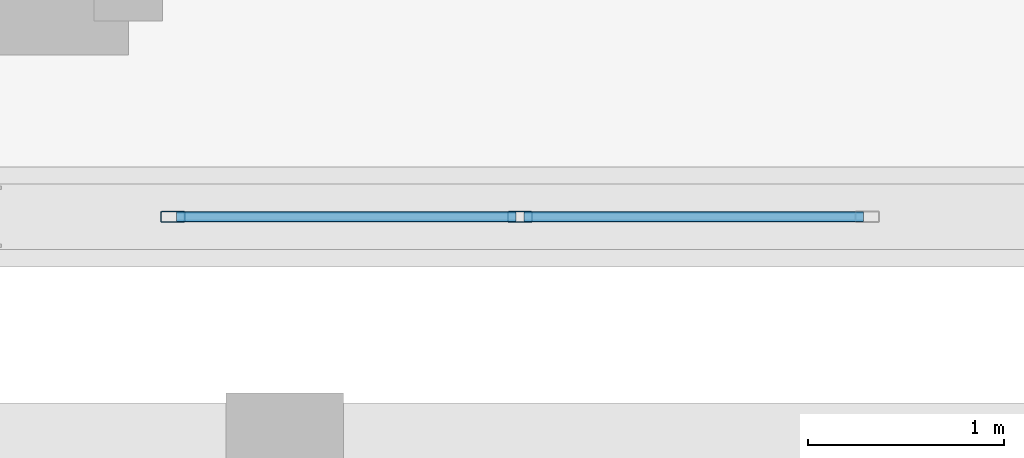
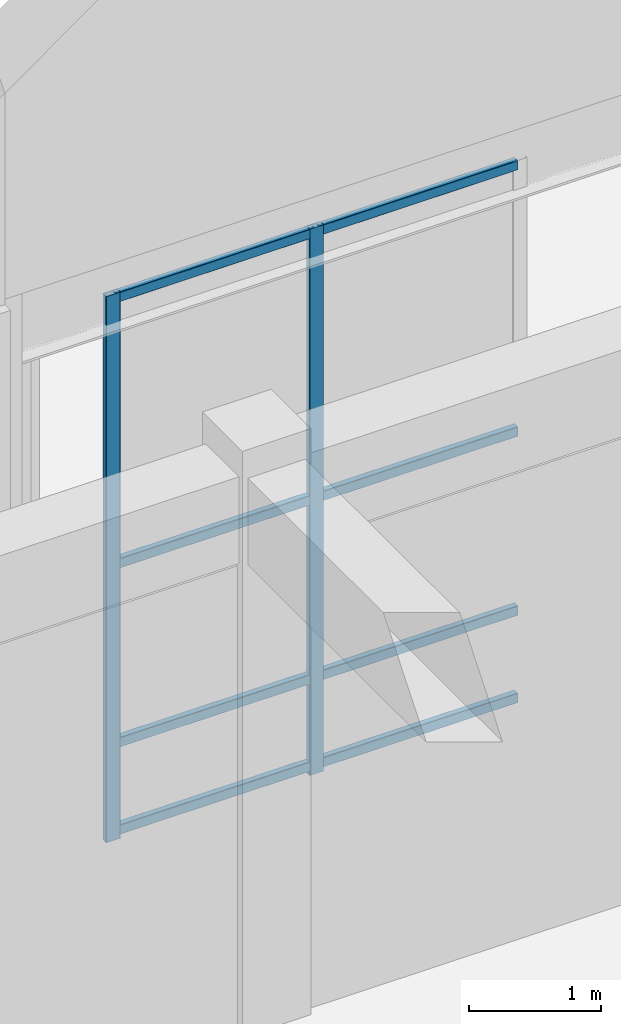
# One storey, part 100 of 197: 10 members, 1 element without a shape of its own.
"""IFC4 building model written with IfcOpenShell, lengths in metres."""

import ifcopenshell
import ifcopenshell.guid

model = None  # the IFC model being written
_history = None  # IfcOwnerHistory: only IFC2X3 demands one
_inside = {}  # id of a spatial element -> (the spatial element, [elements in it])
_under = {}  # id of a project, library or spatial element -> (it, [spatial elements below it])
_declared = {}  # id of a project -> (the project, [libraries it declares])
_typed = {}  # id of a type object -> (the type object, [elements of that type])
_made_of = {}  # id of a material, layer set ... -> (it, [elements and type objects made of it])


def new_model(schema):
    """Start an empty IFC model of exactly this schema.

    Asked for "IFC4X3", IfcOpenShell would pick the latest addendum, in which some entities
    have other attributes; the version numbers below select the first issue.
    IFC2X3 requires an IfcOwnerHistory on every rooted entity: one is made here for all.
    """
    global model, _history
    if schema == "IFC4X3":
        model = ifcopenshell.file(schema_version=(4, 3, 0, 0))
    else:
        model = ifcopenshell.file(schema=schema)
    _inside.clear()
    _under.clear()
    _declared.clear()
    _typed.clear()
    _made_of.clear()
    _history = None
    if model.schema == "IFC2X3":
        org = make("IfcOrganization", Name="unknown")
        user = make(
            "IfcPersonAndOrganization",
            ThePerson=make("IfcPerson", FamilyName="unknown"),
            TheOrganization=org,
        )
        app = make(
            "IfcApplication",
            ApplicationDeveloper=org,
            Version="unknown",
            ApplicationFullName="unknown",
            ApplicationIdentifier="unknown",
        )
        _history = make(
            "IfcOwnerHistory",
            OwningUser=user,
            OwningApplication=app,
            ChangeAction="ADDED",
            CreationDate=0,
        )
    return model


def make(cls, **values):
    """One entity of the class cls with the attributes given. An attribute that is None is left unset."""
    return model.create_entity(
        cls, **{name: value for name, value in values.items() if value is not None}
    )


def rooted(cls, **values):
    """An entity with a GlobalId (a new one), such as an element, a storey or a relation."""
    return make(cls, GlobalId=ifcopenshell.guid.new(), OwnerHistory=_history, **values)


def si_unit(unit_type, name, prefix=None):
    """IfcSIUnit, for example si_unit("LENGTHUNIT", "METRE", prefix="MILLI")."""
    return make("IfcSIUnit", UnitType=unit_type, Prefix=prefix, Name=name)


def derived_unit(unit_type, elements):
    """IfcDerivedUnit: a product of units, each with its exponent."""
    return make(
        "IfcDerivedUnit",
        Elements=[
            make("IfcDerivedUnitElement", Unit=unit, Exponent=power)
            for unit, power in elements
        ],
        UnitType=unit_type,
    )


def assignment(units):
    """IfcUnitAssignment: the units of a project."""
    return None if units is None else make("IfcUnitAssignment", Units=units)


def point(xyz):
    """IfcCartesianPoint."""
    return None if xyz is None else make("IfcCartesianPoint", Coordinates=xyz)


def direction(xyz):
    """IfcDirection."""
    return None if xyz is None else make("IfcDirection", DirectionRatios=xyz)


def frame(location, z_axis=None, x_axis=None):
    """IfcAxis2Placement3D, a coordinate frame: its origin and axes. An axis left out is left unset."""
    return make(
        "IfcAxis2Placement3D",
        Location=point(location),
        Axis=direction(z_axis),
        RefDirection=direction(x_axis),
    )


def frame_2d(location, x_axis=None):
    """IfcAxis2Placement2D, a coordinate frame in the plane: its origin and x axis."""
    return make(
        "IfcAxis2Placement2D", Location=point(location), RefDirection=direction(x_axis)
    )


def origin():
    """The frame at (0, 0, 0) with its axes left unset."""
    return frame((0.0, 0.0, 0.0))


def origin_2d():
    """The frame at (0, 0) in the plane with its x axis left unset."""
    return frame_2d((0.0, 0.0))


def place(relative_to, where):
    """IfcLocalPlacement: puts the frame where relative to a parent placement (None: the world)."""
    return make(
        "IfcLocalPlacement", PlacementRelTo=relative_to, RelativePlacement=where
    )


def context(
    kind, dimensions, precision=None, world=None, true_north=None, identifier=None
):
    """IfcGeometricRepresentationContext, for example the 3D "Model" context."""
    return make(
        "IfcGeometricRepresentationContext",
        ContextIdentifier=identifier,
        ContextType=kind,
        CoordinateSpaceDimension=dimensions,
        Precision=precision,
        WorldCoordinateSystem=world,
        TrueNorth=true_north,
    )


def subcontext(parent, identifier, kind, view, scale=None):
    """IfcGeometricRepresentationSubContext, for example "Body" below "Model"."""
    return make(
        "IfcGeometricRepresentationSubContext",
        ContextIdentifier=identifier,
        ContextType=kind,
        ParentContext=parent,
        TargetScale=scale,
        TargetView=view,
    )


def project(units=None, contexts=None):
    """IfcProject with its units and contexts."""
    return rooted(
        "IfcProject",
        Name="project",
        RepresentationContexts=contexts,
        UnitsInContext=assignment(units),
    )


def spatial(cls, under=None, at=None, **own):
    """A site, building, storey or space (cls), placed at a placement, below another one or the project."""
    s = rooted(cls, ObjectPlacement=at, **own)
    if under is not None:
        _under.setdefault(under.id(), (under, []))[1].append(s)
    return s


def profile(cls, at=None, kind="AREA", **sizes):
    """A parametric profile (cls). Its sizes go by their IFC names, for example OverallWidth=200.0."""
    return make(cls, ProfileType=kind, Position=at, **sizes)


def hollow_rectangle(**sizes):
    """IfcRectangleHollowProfileDef."""
    return profile("IfcRectangleHollowProfileDef", **sizes)


def extrude(swept, where, along, depth):
    """IfcExtrudedAreaSolid: the profile swept, set in the frame where, extruded along a direction by depth."""
    return make(
        "IfcExtrudedAreaSolid",
        SweptArea=swept,
        Position=where,
        ExtrudedDirection=direction(along),
        Depth=depth,
    )


def shape(context_of_items, identifier, shape_type, items):
    """IfcShapeRepresentation: the items that make up one representation, for example the "Body"."""
    return make(
        "IfcShapeRepresentation",
        ContextOfItems=context_of_items,
        RepresentationIdentifier=identifier,
        RepresentationType=shape_type,
        Items=items,
    )


def material(Name=None, Category=None):
    """IfcMaterial."""
    return make("IfcMaterial", Name=Name, Category=Category)


def layer(
    of_material, thickness, ventilated=None, Name=None, Category=None, Priority=None
):
    """IfcMaterialLayer: one layer of a wall or slab, of a material (None: an air gap)."""
    return make(
        "IfcMaterialLayer",
        Material=of_material,
        LayerThickness=thickness,
        IsVentilated=ventilated,
        Name=Name,
        Category=Category,
        Priority=Priority,
    )


def layer_set(layers, Name=None):
    """IfcMaterialLayerSet."""
    return make("IfcMaterialLayerSet", MaterialLayers=layers, LayerSetName=Name)


def material_profile(
    of_material, cross_section, Name=None, Category=None, Priority=None
):
    """IfcMaterialProfile: a cross section and its material."""
    return make(
        "IfcMaterialProfile",
        Name=Name,
        Material=of_material,
        Profile=cross_section,
        Priority=Priority,
        Category=Category,
    )


def profile_set(profiles, Name=None, composite=None):
    """IfcMaterialProfileSet."""
    return make(
        "IfcMaterialProfileSet",
        Name=Name,
        MaterialProfiles=profiles,
        CompositeProfile=composite,
    )


def made_of(thing, what):
    """Note that an element or type object is made of a material, layer set ...; save() writes the relation."""
    if what is not None:
        _made_of.setdefault(what.id(), (what, []))[1].append(thing)
    return thing


def type_object(cls, material=None, **own):
    """A type object (cls), such as IfcWallType, which elements share."""
    return made_of(rooted(cls, **own), material)


def element(
    cls,
    number,
    at=None,
    inside=None,
    cuts=None,
    type_object=None,
    material=None,
    context=None,
    identifier="Body",
    shape_type=None,
    held_by="IfcProductDefinitionShape",
    body=None,
    shapes=None,
    **own,
):
    """One element of the class cls, such as IfcWall. Its Tag is "e" and its number.

    at: its placement. inside: the storey or other place that contains it. cuts: it is an
    opening in that element (IfcRelVoidsElement). A single representation is given by context,
    identifier, shape_type and body (its items); several are given by shapes. held_by: the class
    of the entity that holds the representations. save() writes the other relations.
    """
    e = rooted(cls, Tag="e%d" % number, ObjectPlacement=at, **own)
    if body is not None:
        shapes = [shape(context, identifier, shape_type, body)]
    if shapes is not None:
        e.Representation = make(held_by, Representations=shapes)
    if inside is not None:
        _inside.setdefault(inside.id(), (inside, []))[1].append(e)
    if cuts is not None:
        rooted(
            "IfcRelVoidsElement", RelatingBuildingElement=cuts, RelatedOpeningElement=e
        )
    if type_object is not None:
        _typed.setdefault(type_object.id(), (type_object, []))[1].append(e)
    return made_of(e, material)


def aggregate(whole, parts):
    """IfcRelAggregates: a whole, such as a stair, and the parts it consists of."""
    return rooted("IfcRelAggregates", RelatingObject=whole, RelatedObjects=parts)


def save(model, path):
    """Write the relations noted so far, then the file.

    IfcRelAggregates (storeys below a building ...), IfcRelContainedInSpatialStructure (elements
    in a storey), IfcRelDefinesByType, IfcRelAssociatesMaterial and IfcRelDeclares: one each for
    every whole, place, type object, material and project.
    """
    for whole, parts in _under.values():
        aggregate(whole, parts)
    for where, things in _inside.values():
        rooted(
            "IfcRelContainedInSpatialStructure",
            RelatedElements=things,
            RelatingStructure=where,
        )
    for kind, things in _typed.values():
        rooted("IfcRelDefinesByType", RelatedObjects=things, RelatingType=kind)
    for what, things in _made_of.values():
        rooted("IfcRelAssociatesMaterial", RelatedObjects=things, RelatingMaterial=what)
    for by, libraries in _declared.values():
        rooted("IfcRelDeclares", RelatingContext=by, RelatedDefinitions=libraries)
    model.write(path)


model = new_model("IFC4")

# Units and contexts
model_context = context("Model", 3, precision=1e-05, world=origin(), true_north=direction((0.0, 1.0)))
body_context = subcontext(model_context, "Body", "Model", "MODEL_VIEW")
ifc_project = project(units=[si_unit("LENGTHUNIT", "METRE"), si_unit("AREAUNIT", "SQUARE_METRE"), si_unit("VOLUMEUNIT", "CUBIC_METRE"), si_unit("PLANEANGLEUNIT", "RADIAN"), si_unit("MASSUNIT", "GRAM", prefix="KILO"), derived_unit("THERMALTRANSMITTANCEUNIT", [(si_unit("POWERUNIT", "WATT"), 1), (si_unit("LENGTHUNIT", "METRE"), -2), (si_unit("THERMODYNAMICTEMPERATUREUNIT", "KELVIN"), -1)])], contexts=[model_context])

# Site, building, storey
site_placement = place(None, origin())
site = spatial("IfcSite", under=ifc_project, at=site_placement, CompositionType="ELEMENT")
building_placement = place(site_placement, origin())
building = spatial("IfcBuilding", under=site, at=building_placement, Name="Almenara Railside Exhibition Hall", CompositionType="ELEMENT")
storey_placement = place(building_placement, frame((0.0, 0.0, 5.39990234375)))
storey = spatial("IfcBuildingStorey", under=building, at=storey_placement, Name="L01", CompositionType="ELEMENT", Elevation=5.39990234375)

# Curtain wall, members
ifc_material_1 = material(Name="Bronze-anodised aluminium and low-E double glazing", Category="aluminium")
ifc_layer = layer(ifc_material_1, 0.179931640625, Name="Bronze-anodised aluminium and low-E double glazing")
ifc_layer_set = layer_set([ifc_layer], Name="Bronze-anodised aluminium and low-E double glazing")
curtain_wall_type = type_object("IfcCurtainWallType", Name="Scroll Gable Standard Curtain Wall 3600x5000", PredefinedType="NOTDEFINED", material=ifc_layer_set)
curtain_wall_placement = place(storey_placement, origin())
curtain_wall = element("IfcCurtainWall", 1, at=curtain_wall_placement, inside=storey, type_object=curtain_wall_type, Name="Curtain wall CW-G2-079", PredefinedType="NOTDEFINED")
ifc_material_2 = material(Name="Bronze-anodised aluminium", Category="aluminium")
ifc_material_profile_1 = material_profile(ifc_material_2, hollow_rectangle(XDim=0.054931640625, YDim=0.125, WallThickness=0.0029296875, InnerFilletRadius=0.0029296875, OuterFilletRadius=0.006103515625, at=origin_2d()), Name="ALU-MUL 55x125x3")
ifc_profile_set_1 = profile_set([ifc_material_profile_1], Name="Bronze-anodised aluminium")
member_type_1 = type_object("IfcMemberType", Name="Curtain Wall Mullion 55x125x3", PredefinedType="MULLION", material=ifc_profile_set_1)
member_1_placement = place(storey_placement, frame((149.427490234375, 34.0, 1.01513671875), z_axis=(0.0, 0.0, 1.0), x_axis=(0.0, 1.0, 0.0)))
member_1 = element("IfcMember", 2, at=member_1_placement, type_object=member_type_1, Name="CW-G2-079 mullion 1", PredefinedType="MULLION", context=body_context, shape_type="SweptSolid", body=[
    extrude(hollow_rectangle(XDim=0.054931640625, YDim=0.125, WallThickness=0.0029296875, InnerFilletRadius=0.0029296875, OuterFilletRadius=0.006103515625, at=origin_2d()), origin(), (0.0, 0.0, 1.0), 5.034912109375),
])
member_2_placement = place(storey_placement, frame((151.199951171875, 34.0, 1.01513671875), z_axis=(0.0, 0.0, 1.0), x_axis=(0.0, 1.0, 0.0)))
member_2 = element("IfcMember", 3, at=member_2_placement, type_object=member_type_1, Name="CW-G2-079 mullion 2", PredefinedType="MULLION", context=body_context, shape_type="SweptSolid", body=[
    extrude(hollow_rectangle(XDim=0.054931640625, YDim=0.125, WallThickness=0.0029296875, InnerFilletRadius=0.0029296875, OuterFilletRadius=0.006103515625, at=origin_2d()), origin(), (0.0, 0.0, 1.0), 5.034912109375),
])
ifc_material_profile_2 = material_profile(ifc_material_2, hollow_rectangle(XDim=0.054931640625, YDim=0.090087890625, WallThickness=0.0029296875, InnerFilletRadius=0.0029296875, OuterFilletRadius=0.006103515625, at=origin_2d()), Name="ALU-TRN 55x90x3")
ifc_profile_set_2 = profile_set([ifc_material_profile_2], Name="Bronze-anodised aluminium")
member_type_2 = type_object("IfcMemberType", Name="Curtain Wall Transom 55x90x3", PredefinedType="USERDEFINED", material=ifc_profile_set_2)
member_3_placement = place(storey_placement, frame((149.447021484375, 34.0, 1.09521484375), z_axis=(1.0, 0.0, 0.0), x_axis=(0.0, 1.0, 0.0)))
member_3 = element("IfcMember", 4, at=member_3_placement, type_object=member_type_2, Name="CW-G2-079 transom 1.1", ObjectType="TRANSOM", PredefinedType="USERDEFINED", context=body_context, shape_type="SweptSolid", body=[
    extrude(hollow_rectangle(XDim=0.054931640625, YDim=0.090087890625, WallThickness=0.0029296875, InnerFilletRadius=0.0029296875, OuterFilletRadius=0.006103515625, at=origin_2d()), origin(), (0.0, 0.0, 1.0), 1.7333984375),
])
member_4_placement = place(storey_placement, frame((149.447021484375, 34.0, 1.900146484375), z_axis=(1.0, 0.0, 0.0), x_axis=(0.0, 1.0, 0.0)))
member_4 = element("IfcMember", 5, at=member_4_placement, type_object=member_type_2, Name="CW-G2-079 transom 1.2", ObjectType="TRANSOM", PredefinedType="USERDEFINED", context=body_context, shape_type="SweptSolid", body=[
    extrude(hollow_rectangle(XDim=0.054931640625, YDim=0.090087890625, WallThickness=0.0029296875, InnerFilletRadius=0.0029296875, OuterFilletRadius=0.006103515625, at=origin_2d()), origin(), (0.0, 0.0, 1.0), 1.7333984375),
])
member_5_placement = place(storey_placement, frame((149.447021484375, 34.0, 3.550048828125), z_axis=(1.0, 0.0, 0.0), x_axis=(0.0, 1.0, 0.0)))
member_5 = element("IfcMember", 6, at=member_5_placement, type_object=member_type_2, Name="CW-G2-079 transom 1.3", ObjectType="TRANSOM", PredefinedType="USERDEFINED", context=body_context, shape_type="SweptSolid", body=[
    extrude(hollow_rectangle(XDim=0.054931640625, YDim=0.090087890625, WallThickness=0.0029296875, InnerFilletRadius=0.0029296875, OuterFilletRadius=0.006103515625, at=origin_2d()), origin(), (0.0, 0.0, 1.0), 1.7333984375),
])
member_6_placement = place(storey_placement, frame((149.447021484375, 34.0, 6.005126953125), z_axis=(1.0, 0.0, 0.0), x_axis=(0.0, 1.0, 0.0)))
member_6 = element("IfcMember", 7, at=member_6_placement, type_object=member_type_2, Name="CW-G2-079 transom 1.4", ObjectType="TRANSOM", PredefinedType="USERDEFINED", context=body_context, shape_type="SweptSolid", body=[
    extrude(hollow_rectangle(XDim=0.054931640625, YDim=0.090087890625, WallThickness=0.0029296875, InnerFilletRadius=0.0029296875, OuterFilletRadius=0.006103515625, at=origin_2d()), origin(), (0.0, 0.0, 1.0), 1.7333984375),
])
member_7_placement = place(storey_placement, frame((151.219482421875, 34.0, 1.09521484375), z_axis=(1.0, 0.0, 0.0), x_axis=(0.0, 1.0, 0.0)))
member_7 = element("IfcMember", 8, at=member_7_placement, type_object=member_type_2, Name="CW-G2-079 transom 2.1", ObjectType="TRANSOM", PredefinedType="USERDEFINED", context=body_context, shape_type="SweptSolid", body=[
    extrude(hollow_rectangle(XDim=0.054931640625, YDim=0.090087890625, WallThickness=0.0029296875, InnerFilletRadius=0.0029296875, OuterFilletRadius=0.006103515625, at=origin_2d()), origin(), (0.0, 0.0, 1.0), 1.7333984375),
])
member_8_placement = place(storey_placement, frame((151.219482421875, 34.0, 1.900146484375), z_axis=(1.0, 0.0, 0.0), x_axis=(0.0, 1.0, 0.0)))
member_8 = element("IfcMember", 9, at=member_8_placement, type_object=member_type_2, Name="CW-G2-079 transom 2.2", ObjectType="TRANSOM", PredefinedType="USERDEFINED", context=body_context, shape_type="SweptSolid", body=[
    extrude(hollow_rectangle(XDim=0.054931640625, YDim=0.090087890625, WallThickness=0.0029296875, InnerFilletRadius=0.0029296875, OuterFilletRadius=0.006103515625, at=origin_2d()), origin(), (0.0, 0.0, 1.0), 1.7333984375),
])
member_9_placement = place(storey_placement, frame((151.219482421875, 34.0, 3.550048828125), z_axis=(1.0, 0.0, 0.0), x_axis=(0.0, 1.0, 0.0)))
member_9 = element("IfcMember", 10, at=member_9_placement, type_object=member_type_2, Name="CW-G2-079 transom 2.3", ObjectType="TRANSOM", PredefinedType="USERDEFINED", context=body_context, shape_type="SweptSolid", body=[
    extrude(hollow_rectangle(XDim=0.054931640625, YDim=0.090087890625, WallThickness=0.0029296875, InnerFilletRadius=0.0029296875, OuterFilletRadius=0.006103515625, at=origin_2d()), origin(), (0.0, 0.0, 1.0), 1.7333984375),
])
member_10_placement = place(storey_placement, frame((151.219482421875, 34.0, 6.005126953125), z_axis=(1.0, 0.0, 0.0), x_axis=(0.0, 1.0, 0.0)))
member_10 = element("IfcMember", 11, at=member_10_placement, type_object=member_type_2, Name="CW-G2-079 transom 2.4", ObjectType="TRANSOM", PredefinedType="USERDEFINED", context=body_context, shape_type="SweptSolid", body=[
    extrude(hollow_rectangle(XDim=0.054931640625, YDim=0.090087890625, WallThickness=0.0029296875, InnerFilletRadius=0.0029296875, OuterFilletRadius=0.006103515625, at=origin_2d()), origin(), (0.0, 0.0, 1.0), 1.7333984375),
])
aggregate(curtain_wall, [member_1, member_2, member_3, member_4, member_5, member_6, member_7, member_8, member_9, member_10])

save(model, "model.ifc")
